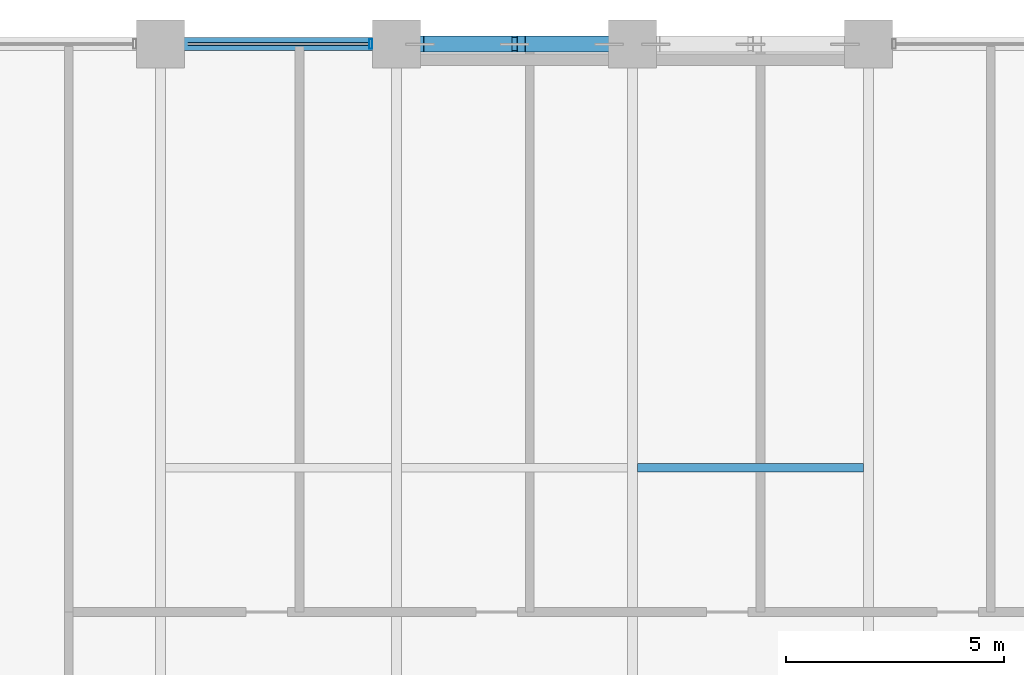
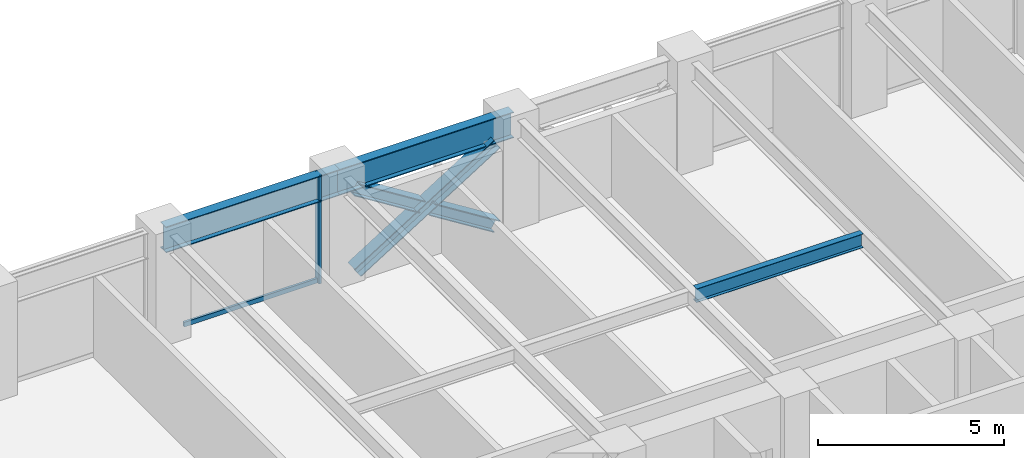
# One storey, part 13 of 25: 5 members, 3 beams, 1 element without a shape of its own.
"""IFC4 building model written with IfcOpenShell, lengths in metres."""

from ifc_helpers import new_model, si_unit, direction, frame, origin, origin_2d, place, context, subcontext, project, spatial, hollow_rectangle, i_section, extrude, material, layer, layer_set, material_profile, profile_set, type_object, element, aggregate, save


model = new_model("IFC4")

# Units and contexts
model_context = context("Model", 3, precision=1e-05, world=origin(), true_north=direction((0.0, 1.0)))
body_context = subcontext(model_context, "Body", "Model", "MODEL_VIEW")
ifc_project = project(units=[si_unit("LENGTHUNIT", "METRE"), si_unit("AREAUNIT", "SQUARE_METRE"), si_unit("VOLUMEUNIT", "CUBIC_METRE"), si_unit("PLANEANGLEUNIT", "RADIAN"), si_unit("MASSUNIT", "GRAM", prefix="KILO")], contexts=[model_context])

# Site, building, storey
site_placement = place(None, origin())
site = spatial("IfcSite", under=ifc_project, at=site_placement, CompositionType="ELEMENT")
building_placement = place(site_placement, origin())
building = spatial("IfcBuilding", under=site, at=building_placement, Name="Surkhivell Harbour Commons", CompositionType="ELEMENT")
storey_placement = place(building_placement, frame((0.0, 0.0, 117.0)))
storey = spatial("IfcBuildingStorey", under=building, at=storey_placement, Name="L30", CompositionType="ELEMENT", Elevation=117.0)

# Beams
ifc_material_1 = material(Name="Steel S355", Category="steel")
ifc_material_profile_1 = material_profile(ifc_material_1, i_section(OverallWidth=0.18994140625, OverallDepth=0.45703125, WebThickness=0.009033203125, FlangeThickness=0.014404296875, at=origin_2d()), Name="UB457x191x74")
ifc_profile_set_1 = profile_set([ifc_material_profile_1], Name="Steel S355")
beam_type_1 = type_object("IfcBeamType", Name="BM-JST-457B", PredefinedType="JOIST", material=ifc_profile_set_1)
beam_1_placement = place(storey_placement, frame((0.113037109375, 16.199951171875, 3.341552734375), z_axis=(1.0, 0.0, 0.0), x_axis=(0.0, 1.0, 0.0)))
element("IfcBeam", 1, at=beam_1_placement, inside=storey, type_object=beam_type_1, Name="L30 North Composite Joist (0.0)", PredefinedType="JOIST", context=body_context, shape_type="SweptSolid", body=[
    extrude(i_section(OverallWidth=0.18994140625, OverallDepth=0.45703125, WebThickness=0.009033203125, FlangeThickness=0.014404296875, at=origin_2d()), origin(), (0.0, 0.0, 1.0), 5.174072265625),
])
ifc_material_2 = material(Name="Steel S460", Category="steel")
ifc_material_profile_2 = material_profile(ifc_material_2, i_section(OverallWidth=0.2939453125, OverallDepth=0.85107421875, WebThickness=0.01611328125, FlangeThickness=0.02685546875, at=origin_2d()), Name="UB838x292x226")
ifc_profile_set_2 = profile_set([ifc_material_profile_2], Name="Steel S460")
beam_type_2 = type_object("IfcBeamType", Name="BM-SPN-838", PredefinedType="SPANDREL", material=ifc_profile_set_2)
beam_2_placement = place(storey_placement, frame((-10.800048828125, 25.89990234375, 3.14453125), z_axis=(1.0, 0.0, 0.0), x_axis=(0.0, 1.0, 0.0)))
element("IfcBeam", 2, at=beam_2_placement, inside=storey, type_object=beam_type_2, Name="L30 Tube Spandrel (-10.8,25.9)", PredefinedType="SPANDREL", context=body_context, shape_type="SweptSolid", body=[
    extrude(i_section(OverallWidth=0.2939453125, OverallDepth=0.85107421875, WebThickness=0.01611328125, FlangeThickness=0.02685546875, at=origin_2d()), origin(), (0.0, 0.0, 1.0), 5.400146484375),
])
beam_3_placement = place(storey_placement, frame((-5.39990234375, 25.89990234375, 3.14453125), z_axis=(1.0, 0.0, 0.0), x_axis=(0.0, 1.0, 0.0)))
element("IfcBeam", 3, at=beam_3_placement, inside=storey, type_object=beam_type_2, Name="L30 Tube Spandrel (-5.4,25.9)", PredefinedType="SPANDREL", context=body_context, shape_type="SweptSolid", body=[
    extrude(i_section(OverallWidth=0.2939453125, OverallDepth=0.85107421875, WebThickness=0.01611328125, FlangeThickness=0.02685546875, at=origin_2d()), origin(), (0.0, 0.0, 1.0), 5.39990234375),
])

# Curtain wall, members
ifc_material_3 = material(Name="Anodised pale-metal aluminium and insulated glazing", Category="aluminium")
ifc_layer = layer(ifc_material_3, 0.205078125)
ifc_layer_set = layer_set([ifc_layer], Name="Anodised pale-metal aluminium and insulated glazing")
curtain_wall_type = type_object("IfcCurtainWallType", Name="CW-SYS-Z2", PredefinedType="NOTDEFINED", material=ifc_layer_set)
curtain_wall_placement = place(storey_placement, origin())
curtain_wall = element("IfcCurtainWall", 4, at=curtain_wall_placement, inside=storey, type_object=curtain_wall_type, Name="L30 Curtain Wall CW-L30-E07S2", PredefinedType="NOTDEFINED")
ifc_material_4 = material(Name="Anodised pale-metal aluminium alloy 6063-T6", Category="aluminium")
ifc_material_profile_3 = material_profile(ifc_material_4, hollow_rectangle(XDim=0.074951171875, YDim=0.219970703125, WallThickness=0.00390625, at=origin_2d()), Name="ALU-MULL-75x220")
ifc_profile_set_3 = profile_set([ifc_material_profile_3], Name="Anodised pale-metal aluminium alloy 6063-T6")
member_type_1 = type_object("IfcMemberType", Name="CWM-220", PredefinedType="MULLION", material=ifc_profile_set_3)
member_1_placement = place(storey_placement, frame((-5.989501953125, 25.89990234375, 0.0), z_axis=(0.0, 0.0, 1.0), x_axis=(-1.0, 0.0, 0.0)))
member_1 = element("IfcMember", 5, at=member_1_placement, type_object=member_type_1, Name="CW-Z2 mullion 1", PredefinedType="MULLION", context=body_context, shape_type="SweptSolid", body=[
    extrude(hollow_rectangle(XDim=0.074951171875, YDim=0.219970703125, WallThickness=0.00390625, at=origin_2d()), origin(), (0.0, 0.0, 1.0), 3.570068359375),
])
ifc_material_profile_4 = material_profile(ifc_material_4, hollow_rectangle(XDim=0.074951171875, YDim=0.14990234375, WallThickness=0.00341796875, at=origin_2d()), Name="ALU-TRAN-75x150")
ifc_profile_set_4 = profile_set([ifc_material_profile_4], Name="Anodised pale-metal aluminium alloy 6063-T6")
member_type_2 = type_object("IfcMemberType", Name="CWT-150", PredefinedType="USERDEFINED", material=ifc_profile_set_4)
member_2_placement = place(storey_placement, frame((-6.027099609375, 25.89990234375, 0.074951171875), z_axis=(-1.0, 0.0, 0.0), x_axis=(0.0, -1.0, 0.0)))
member_2 = element("IfcMember", 6, at=member_2_placement, type_object=member_type_2, Name="CW-Z2 transom 1.1", ObjectType="TRANSOM", PredefinedType="USERDEFINED", context=body_context, shape_type="SweptSolid", body=[
    extrude(hollow_rectangle(XDim=0.074951171875, YDim=0.14990234375, WallThickness=0.00341796875, at=origin_2d()), origin(), (0.0, 0.0, 1.0), 4.14599609375),
])
aggregate(curtain_wall, [member_1, member_2])

# Members
ifc_material_profile_5 = material_profile(ifc_material_2, i_section(OverallWidth=0.375, OverallDepth=0.375, WebThickness=0.0166015625, FlangeThickness=0.027099609375, at=origin_2d()), Name="UC356x368x202")
ifc_profile_set_5 = profile_set([ifc_material_profile_5], Name="Steel S460")
member_type_3 = type_object("IfcMemberType", Name="MEM-BRC-UC356", PredefinedType="BRACE", material=ifc_profile_set_5)
member_3_placement = place(storey_placement, frame((-4.864990234375, 25.89990234375, 0.008056640625), z_axis=(0.847246015888, 0.0, 0.531200704594), x_axis=(0.0, 1.0, 0.0)))
element("IfcMember", 7, at=member_3_placement, inside=storey, type_object=member_type_3, Name="L30 Perimeter Mega-Brace MB- 01", PredefinedType="BRACE", context=body_context, shape_type="SweptSolid", body=[
    extrude(i_section(OverallWidth=0.375, OverallDepth=0.375, WebThickness=0.0166015625, FlangeThickness=0.027099609375, at=origin_2d()), origin(), (0.0, 0.0, 1.0), 5.11083984375),
])
member_4_placement = place(storey_placement, frame((-0.534912109375, 25.89990234375, 0.008056640625), z_axis=(-0.8472353132, 0.0, 0.531217774615), x_axis=(0.0, -1.0, 0.0)))
element("IfcMember", 8, at=member_4_placement, inside=storey, type_object=member_type_3, Name="L30 Perimeter Mega-Brace MB- 02", PredefinedType="BRACE", context=body_context, shape_type="SweptSolid", body=[
    extrude(i_section(OverallWidth=0.375, OverallDepth=0.375, WebThickness=0.0166015625, FlangeThickness=0.027099609375, at=origin_2d()), origin(), (0.0, 0.0, 1.0), 2.37548828125),
])
member_5_placement = place(storey_placement, frame((-2.8525390625, 25.89990234375, 1.461181640625), z_axis=(-0.84725256761, 0.0, 0.53119025469), x_axis=(0.0, -1.0, 0.0)))
element("IfcMember", 9, at=member_5_placement, inside=storey, type_object=member_type_3, Name="L30 Perimeter Mega-Brace MB- 03", PredefinedType="BRACE", context=body_context, shape_type="SweptSolid", body=[
    extrude(i_section(OverallWidth=0.375, OverallDepth=0.375, WebThickness=0.0166015625, FlangeThickness=0.027099609375, at=origin_2d()), origin(), (0.0, 0.0, 1.0), 2.375244140625),
])

save(model, "model.ifc")
